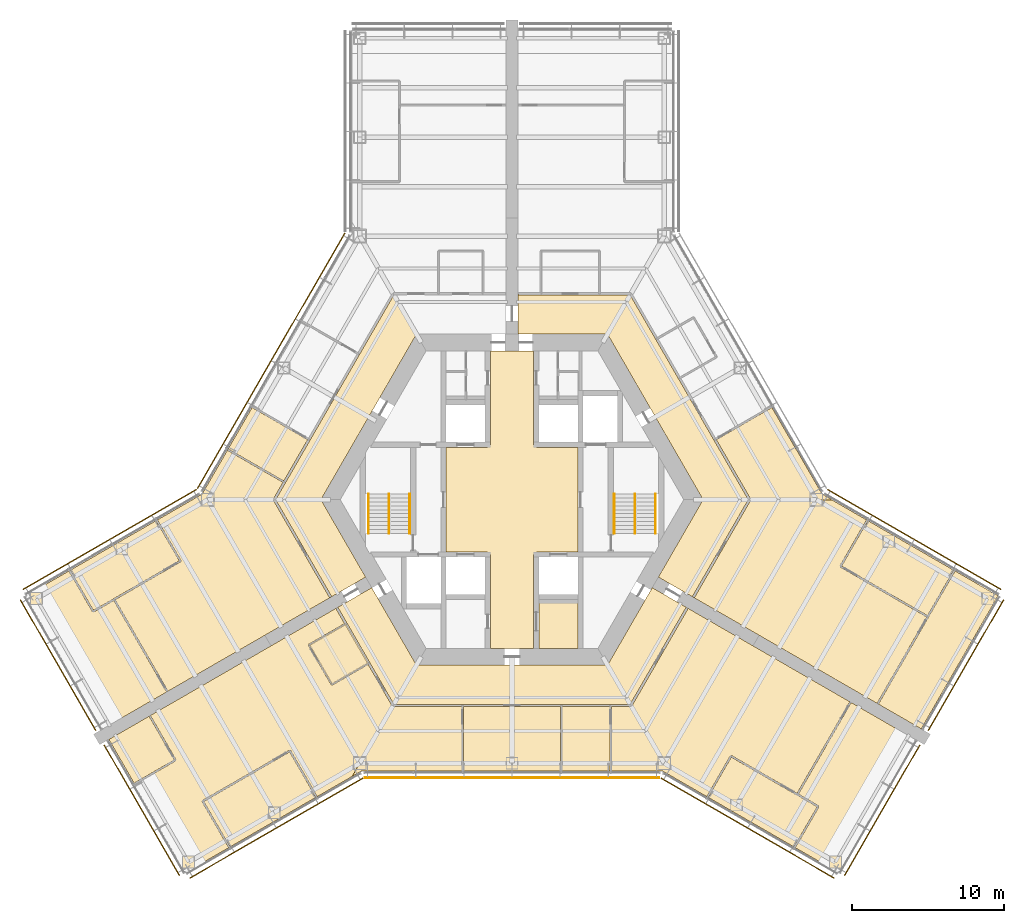
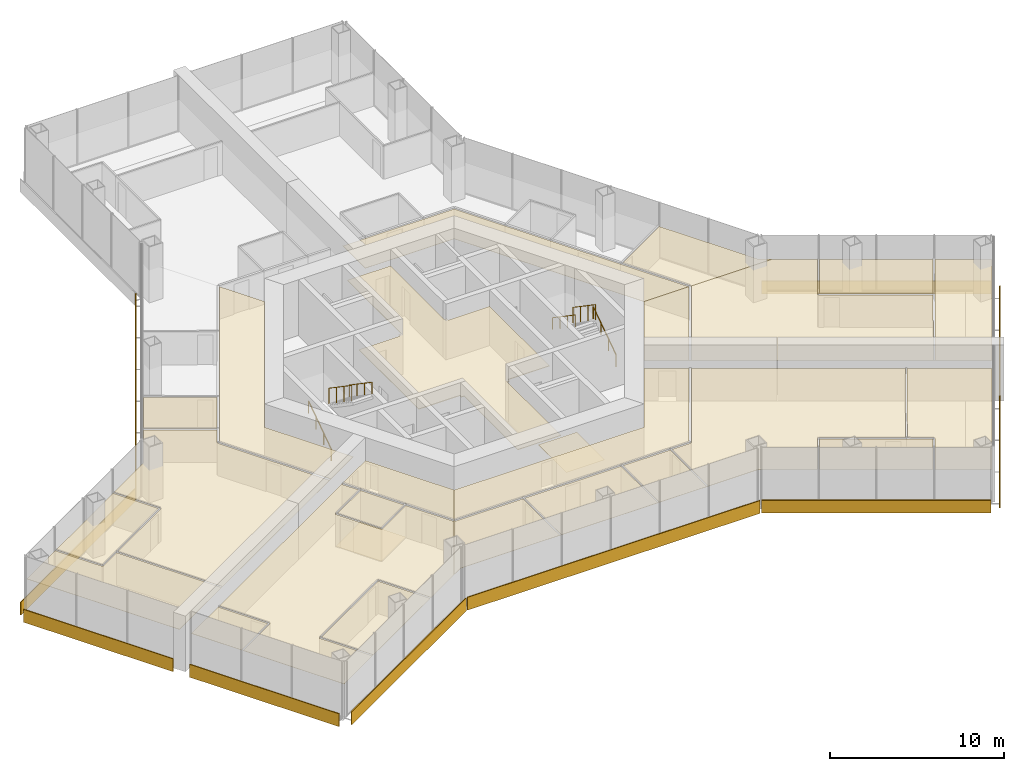
# One storey, part 17 of 18: 26 coverings, 10 shading devices, 6 railings.
"""IFC4 building model written with IfcOpenShell, lengths in metres."""

from ifc_helpers import new_model, si_unit, direction, frame, origin, origin_2d, place, context, subcontext, project, spatial, polyline, rectangle, circle, outline, extrude, material, layer, layer_set, type_object, element, save


model = new_model("IFC4")

# Units and contexts
model_context = context("Model", 3, precision=1e-05, world=origin(), true_north=direction((0.0, 1.0)))
body_context = subcontext(model_context, "Body", "Model", "MODEL_VIEW")
ifc_project = project(units=[si_unit("LENGTHUNIT", "METRE"), si_unit("AREAUNIT", "SQUARE_METRE"), si_unit("VOLUMEUNIT", "CUBIC_METRE"), si_unit("PLANEANGLEUNIT", "RADIAN"), si_unit("MASSUNIT", "GRAM", prefix="KILO")], contexts=[model_context])

# Site, building, storey
site_placement = place(None, origin())
site = spatial("IfcSite", under=ifc_project, at=site_placement, CompositionType="ELEMENT")
building_placement = place(site_placement, origin())
building = spatial("IfcBuilding", under=site, at=building_placement, Name="Kasaneha Research Tower", CompositionType="ELEMENT")
storey_placement = place(building_placement, frame((0.0, 0.0, 119.699951171875)))
storey = spatial("IfcBuildingStorey", under=building, at=storey_placement, Name="L30", CompositionType="ELEMENT", Elevation=119.699951171875)

# Covering
ifc_material_1 = material(Name="Aluminium panel ceiling", Category="aluminium")
ifc_layer_1 = layer(ifc_material_1, 0.0400390625)
ifc_layer_set_1 = layer_set([ifc_layer_1], Name="Lift lobby ceiling 40")
covering_type_1 = type_object("IfcCoveringType", Name="Lift lobby ceiling 40", PredefinedType="CEILING", material=ifc_layer_set_1)
covering_1_placement = place(storey_placement, frame((0.0, 0.0, 2.699951171875)))
element("IfcCovering", 1, at=covering_1_placement, inside=storey, type_object=covering_type_1, Name="Ceiling L30-01", PredefinedType="CEILING", context=body_context, shape_type="SweptSolid", body=[
    extrude(outline(polyline([(1.425048828125, 9.77490234375), (1.425048828125, 3.60009765625), (1.60009765625, 3.60009765625), (1.60009765625, 3.425048828125), (4.324951171875, 3.425048828125), (4.324951171875, -3.425048828125), (1.60009765625, -3.425048828125), (1.60009765625, -3.60009765625), (1.425048828125, -3.60009765625), (1.425048828125, -9.77490234375), (-1.425048828125, -9.77490234375), (-1.425048828125, -3.60009765625), (-1.60009765625, -3.60009765625), (-1.60009765625, -3.425048828125), (-4.324951171875, -3.425048828125), (-4.324951171875, 3.425048828125), (-1.60009765625, 3.425048828125), (-1.60009765625, 3.60009765625), (-1.425048828125, 3.60009765625), (-1.425048828125, 9.77490234375), (1.425048828125, 9.77490234375)])), origin(), (0.0, 0.0, 1.0), 0.0400390625),
])

# Railings
ifc_material_2 = material(Name="Steel", Category="steel")
railing_type_1 = type_object("IfcRailingType", Name="Stair balustrade 1100", PredefinedType="GUARDRAIL", material=ifc_material_2)
for number, where, name in (
    (2, (8.074951171875, 0.375, 2.12744140625), "Stair 1 balustrade L30"),
    (3, (-8.074951171875, 0.375, 2.12744140625), "Stair 2 balustrade L30"),
):
    element("IfcRailing", number, at=place(storey_placement, frame(where)), inside=storey, type_object=railing_type_1, Name=name, PredefinedType="GUARDRAIL", context=body_context, shape_type="SweptSolid", body=[
        extrude(circle(Radius=0.02392578125, at=origin_2d()), frame((0.0, 0.0, 1.076171875), z_axis=(0.0, -0.826240473404, 0.563317565952), x_axis=(1.0, 0.0, 0.0)), (0.0, 0.0, 1.0), 3.14697265625),
        extrude(circle(Radius=0.02099609375, at=origin_2d()), origin(), (0.0, 0.0, 1.0), 1.052001953125),
        extrude(circle(Radius=0.02099609375, at=origin_2d()), frame((0.0, -0.86669921875, 0.5908203125)), (0.0, 0.0, 1.0), 1.052001953125),
        extrude(circle(Radius=0.02099609375, at=origin_2d()), frame((0.0, -1.7333984375, 1.181884765625)), (0.0, 0.0, 1.0), 1.052001953125),
        extrude(circle(Radius=0.02099609375, at=origin_2d()), frame((0.0, -2.60009765625, 1.772705078125)), (0.0, 0.0, 1.0), 1.052001953125),
    ])
ifc_material_3 = material(Name="Steel", Category="steel")
railing_type_2 = type_object("IfcRailingType", Name="Stair handrail 850", PredefinedType="HANDRAIL", material=ifc_material_3)
railing_1_placement = place(storey_placement, frame((9.425048828125, -2.22509765625, 0.17724609375)))
element("IfcRailing", 4, at=railing_1_placement, inside=storey, type_object=railing_type_2, Name="Stair 1 handrail L30", PredefinedType="HANDRAIL", context=body_context, shape_type="SweptSolid", body=[
    extrude(circle(Radius=0.02392578125, at=origin_2d()), frame((0.0, 0.0, 0.826171875), z_axis=(0.0, 0.826240473404, 0.563317565952), x_axis=(-1.0, 0.0, 0.0)), (0.0, 0.0, 1.0), 3.14697265625),
    extrude(circle(Radius=0.02099609375, at=origin_2d()), origin(), (0.0, 0.0, 1.0), 0.802001953125),
    extrude(circle(Radius=0.02099609375, at=origin_2d()), frame((0.0, 0.86669921875, 0.5908203125)), (0.0, 0.0, 1.0), 0.802001953125),
    extrude(circle(Radius=0.02099609375, at=origin_2d()), frame((0.0, 1.7333984375, 1.181884765625)), (0.0, 0.0, 1.0), 0.802001953125),
    extrude(circle(Radius=0.02099609375, at=origin_2d()), frame((0.0, 2.60009765625, 1.772705078125)), (0.0, 0.0, 1.0), 0.802001953125),
])
railing_2_placement = place(storey_placement, frame((6.72509765625, 0.375, 2.12744140625)))
element("IfcRailing", 5, at=railing_2_placement, inside=storey, type_object=railing_type_2, Name="Stair 1 handrail L30", PredefinedType="HANDRAIL", context=body_context, shape_type="SweptSolid", body=[
    extrude(circle(Radius=0.02392578125, at=origin_2d()), frame((0.0, 0.0, 0.826171875), z_axis=(0.0, -0.826240473404, 0.563317565952), x_axis=(1.0, 0.0, 0.0)), (0.0, 0.0, 1.0), 3.14697265625),
    extrude(circle(Radius=0.02099609375, at=origin_2d()), origin(), (0.0, 0.0, 1.0), 0.802001953125),
    extrude(circle(Radius=0.02099609375, at=origin_2d()), frame((0.0, -0.86669921875, 0.5908203125)), (0.0, 0.0, 1.0), 0.802001953125),
    extrude(circle(Radius=0.02099609375, at=origin_2d()), frame((0.0, -1.7333984375, 1.181884765625)), (0.0, 0.0, 1.0), 0.802001953125),
    extrude(circle(Radius=0.02099609375, at=origin_2d()), frame((0.0, -2.60009765625, 1.772705078125)), (0.0, 0.0, 1.0), 0.802001953125),
])
railing_3_placement = place(storey_placement, frame((-9.425048828125, -2.22509765625, 0.17724609375)))
element("IfcRailing", 6, at=railing_3_placement, inside=storey, type_object=railing_type_2, Name="Stair 2 handrail L30", PredefinedType="HANDRAIL", context=body_context, shape_type="SweptSolid", body=[
    extrude(circle(Radius=0.02392578125, at=origin_2d()), frame((0.0, 0.0, 0.826171875), z_axis=(0.0, 0.826240473404, 0.563317565952), x_axis=(-1.0, 0.0, 0.0)), (0.0, 0.0, 1.0), 3.14697265625),
    extrude(circle(Radius=0.02099609375, at=origin_2d()), origin(), (0.0, 0.0, 1.0), 0.802001953125),
    extrude(circle(Radius=0.02099609375, at=origin_2d()), frame((0.0, 0.86669921875, 0.5908203125)), (0.0, 0.0, 1.0), 0.802001953125),
    extrude(circle(Radius=0.02099609375, at=origin_2d()), frame((0.0, 1.7333984375, 1.181884765625)), (0.0, 0.0, 1.0), 0.802001953125),
    extrude(circle(Radius=0.02099609375, at=origin_2d()), frame((0.0, 2.60009765625, 1.772705078125)), (0.0, 0.0, 1.0), 0.802001953125),
])
railing_4_placement = place(storey_placement, frame((-6.72509765625, 0.375, 2.12744140625)))
element("IfcRailing", 7, at=railing_4_placement, inside=storey, type_object=railing_type_2, Name="Stair 2 handrail L30", PredefinedType="HANDRAIL", context=body_context, shape_type="SweptSolid", body=[
    extrude(circle(Radius=0.02392578125, at=origin_2d()), frame((0.0, 0.0, 0.826171875), z_axis=(0.0, -0.826240473404, 0.563317565952), x_axis=(1.0, 0.0, 0.0)), (0.0, 0.0, 1.0), 3.14697265625),
    extrude(circle(Radius=0.02099609375, at=origin_2d()), origin(), (0.0, 0.0, 1.0), 0.802001953125),
    extrude(circle(Radius=0.02099609375, at=origin_2d()), frame((0.0, -0.86669921875, 0.5908203125)), (0.0, 0.0, 1.0), 0.802001953125),
    extrude(circle(Radius=0.02099609375, at=origin_2d()), frame((0.0, -1.7333984375, 1.181884765625)), (0.0, 0.0, 1.0), 0.802001953125),
    extrude(circle(Radius=0.02099609375, at=origin_2d()), frame((0.0, -2.60009765625, 1.772705078125)), (0.0, 0.0, 1.0), 0.802001953125),
])

# Coverings
ifc_material_4 = material(Name="Gypsum ceiling board", Category="gypsum")
ifc_layer_2 = layer(ifc_material_4, 0.02001953125)
ifc_layer_set_2 = layer_set([ifc_layer_2], Name="Suspended ceiling 20")
covering_type_2 = type_object("IfcCoveringType", Name="Suspended ceiling 20", PredefinedType="CEILING", material=ifc_layer_set_2)
covering_2_placement = place(storey_placement, frame((0.0, 0.0, 2.25)))
element("IfcCovering", 8, at=covering_2_placement, inside=storey, type_object=covering_type_2, Name="Ceiling L30-26", PredefinedType="CEILING", context=body_context, shape_type="SweptSolid", body=[
    extrude(outline(polyline([(6.278564453125, 10.875), (0.39990234375, 10.875), (0.39990234375, 11.72509765625), (0.39990234375, 12.72509765625), (0.39990234375, 13.52490234375), (0.419921875, 13.52490234375), (0.419921875, 13.449951171875), (1.89501953125, 13.449951171875), (1.904541015625, 13.449951171875), (5.75244140625, 13.449951171875), (5.761962890625, 13.449951171875), (7.765380859375, 13.449951171875), (9.4501953125, 10.531494140625), (9.4501953125, 10.53173828125), (10.950439453125, 7.93310546875), (10.95068359375, 7.93310546875), (13.2734375, 3.90966796875), (13.2734375, 3.90966796875), (15.53076171875, 0.0), (15.53076171875, 0.0), (12.557373046875, 0.0), (6.278564453125, 10.875)])), origin(), (0.0, 0.0, 1.0), 0.02001953125),
])
covering_3_placement = place(storey_placement, frame((0.0, 0.0, 2.25)))
element("IfcCovering", 9, at=covering_3_placement, inside=storey, type_object=covering_type_2, Name="Ceiling L30-30", PredefinedType="CEILING", context=body_context, shape_type="SweptSolid", body=[
    extrude(outline(polyline([(18.690185546875, 3.29296875), (20.374755859375, 0.374755859375), (21.006103515625, 0.010498046875), (21.011962890625, -0.000244140625), (21.006591796875, -0.010009765625), (15.612060546875, -0.010498046875), (15.604248046875, -0.00048828125), (15.61767578125, 0.000244140625), (15.606201171875, 0.020263671875), (15.670654296875, 0.0576171875), (13.42822265625, 3.94140625), (17.081298828125, 6.055419921875), (18.673583984375, 3.29736328125), (18.682861328125, 3.29833984375), (18.690185546875, 3.29296875)])), origin(), (0.0, 0.0, 1.0), 0.02001953125),
])
covering_4_placement = place(storey_placement, frame((0.0, 0.0, 2.25)))
element("IfcCovering", 10, at=covering_4_placement, inside=storey, type_object=covering_type_2, Name="Ceiling L30-38", PredefinedType="CEILING", context=body_context, shape_type="SweptSolid", body=[
    extrude(outline(polyline([(-12.557373046875, 0.0), (-9.617919921875, -5.091064453125), (-11.77685546875, -6.33740234375), (-11.9130859375, -6.416015625), (-11.923095703125, -6.398681640625), (-11.858154296875, -6.361328125), (-15.53076171875, 0.0), (-14.89697265625, 1.09765625), (-14.89697265625, 1.09765625), (-13.2734375, 3.90966796875), (-13.2734375, 3.90966796875), (-10.02734375, 9.5322265625), (-10.02734375, 9.531982421875), (-7.765380859375, 13.449951171875), (-6.278564453125, 10.875), (-12.557373046875, 0.0)])), origin(), (0.0, 0.0, 1.0), 0.02001953125),
])
covering_5_placement = place(storey_placement, frame((0.0, 0.0, 2.25)))
element("IfcCovering", 11, at=covering_5_placement, inside=storey, type_object=covering_type_2, Name="Ceiling L30-39", PredefinedType="CEILING", context=body_context, shape_type="SweptSolid", body=[
    extrude(outline(polyline([(-29.075439453125, -4.661865234375), (-29.065185546875, -4.6796875), (-29.108642578125, -4.70458984375), (-27.568359375, -7.371826171875), (-27.52490234375, -7.3466796875), (-27.500244140625, -7.39013671875), (-26.167236328125, -6.626220703125), (-22.701171875, -12.62158203125), (-22.65771484375, -12.596435546875), (-22.647705078125, -12.61376953125), (-26.891357421875, -15.063720703125), (-31.94189453125, -6.317138671875), (-29.075439453125, -4.661865234375)])), origin(), (0.0, 0.0, 1.0), 0.02001953125),
])
covering_6_placement = place(storey_placement, frame((0.0, 0.0, 2.25)))
element("IfcCovering", 12, at=covering_6_placement, inside=storey, type_object=covering_type_2, Name="Ceiling L30-41", PredefinedType="CEILING", context=body_context, shape_type="SweptSolid", body=[
    extrude(outline(polyline([(-18.679443359375, 3.287353515625), (-17.081298828125, 6.055419921875), (-13.42822265625, 3.94140625), (-14.9970703125, 1.22412109375), (-18.63720703125, 3.320556640625), (-18.662109375, 3.27734375), (-18.679443359375, 3.287353515625)])), origin(), (0.0, 0.0, 1.0), 0.02001953125),
])
covering_7_placement = place(storey_placement, frame((0.0, 0.0, 2.25)))
element("IfcCovering", 13, at=covering_7_placement, inside=storey, type_object=covering_type_2, Name="Ceiling L30-42", PredefinedType="CEILING", context=body_context, shape_type="SweptSolid", body=[
    extrude(outline(polyline([(-23.34228515625, -1.352294921875), (-23.332275390625, -1.36962890625), (-23.37548828125, -1.39453125), (-21.860595703125, -4.018798828125), (-26.17626953125, -6.510498046875), (-26.173828125, -6.5146484375), (-27.506591796875, -7.278564453125), (-29.02197265625, -4.654541015625), (-29.06494140625, -4.679443359375), (-29.074951171875, -4.662109375), (-23.34228515625, -1.352294921875)])), origin(), (0.0, 0.0, 1.0), 0.02001953125),
])
covering_8_placement = place(storey_placement, frame((0.0, 0.0, 2.25)))
element("IfcCovering", 14, at=covering_8_placement, inside=storey, type_object=covering_type_2, Name="Ceiling L30-43", PredefinedType="CEILING", context=body_context, shape_type="SweptSolid", body=[
    extrude(outline(polyline([(-21.791748046875, -4.037353515625), (-21.7919921875, -4.036865234375), (-21.748779296875, -4.011962890625), (-23.288818359375, -1.344482421875), (-23.331787109375, -1.369384765625), (-23.341796875, -1.35205078125), (-20.365966796875, 0.365966796875), (-18.6796875, 3.286865234375), (-18.662353515625, 3.27685546875), (-18.68701171875, 3.23388671875), (-15.047119140625, 1.137451171875), (-15.68212890625, 0.03759765625), (-15.61767578125, 0.000244140625), (-15.617919921875, -0.000244140625), (-15.61767578125, -0.000244140625), (-15.68212890625, -0.03759765625), (-11.988037109375, -6.436279296875), (-11.92333984375, -6.39892578125), (-11.913330078125, -6.416259765625), (-13.5380859375, -7.354248046875), (-22.6474609375, -12.613525390625), (-22.657470703125, -12.59619140625), (-22.614501953125, -12.571533203125), (-26.0830078125, -6.572021484375), (-21.76708984375, -4.080322265625), (-21.7919921875, -4.037353515625), (-21.791748046875, -4.037353515625)])), origin(), (0.0, 0.0, 1.0), 0.02001953125),
])
covering_9_placement = place(storey_placement, frame((0.0, 0.0, 2.25)))
element("IfcCovering", 15, at=covering_9_placement, inside=storey, type_object=covering_type_2, Name="Ceiling L30-45", PredefinedType="CEILING", context=body_context, shape_type="SweptSolid", body=[
    extrude(outline(polyline([(-7.765380859375, -13.449951171875), (-9.350341796875, -10.704833984375), (-9.350341796875, -10.704833984375), (-10.8505859375, -8.106201171875), (-10.8505859375, -8.106201171875), (-11.43798828125, -7.088623046875), (-11.5029296875, -7.126220703125), (-11.512939453125, -7.10888671875), (-9.218017578125, -5.783935546875), (-6.278564453125, -10.875), (-7.765380859375, -13.449951171875)])), origin(), (0.0, 0.0, 1.0), 0.02001953125),
])
covering_10_placement = place(storey_placement, frame((0.0, 0.0, 2.25)))
element("IfcCovering", 16, at=covering_10_placement, inside=storey, type_object=covering_type_2, Name="Ceiling L30-46", PredefinedType="CEILING", context=body_context, shape_type="SweptSolid", body=[
    extrude(outline(polyline([(-9.505126953125, -10.736572265625), (-11.819580078125, -12.077880859375), (-13.26953125, -9.56640625), (-10.95068359375, -8.232666015625), (-9.505126953125, -10.736572265625)])), origin(), (0.0, 0.0, 1.0), 0.02001953125),
])
covering_11_placement = place(storey_placement, frame((0.0, 0.0, 2.25)))
element("IfcCovering", 17, at=covering_11_placement, inside=storey, type_object=covering_type_2, Name="Ceiling L30-47", PredefinedType="CEILING", context=body_context, shape_type="SweptSolid", body=[
    extrude(outline(polyline([(-18.574951171875, -22.8486328125), (-18.5849609375, -22.831298828125), (-18.541748046875, -22.806396484375), (-20.256591796875, -19.835693359375), (-14.610595703125, -16.575927734375), (-12.885498046875, -19.563720703125), (-12.84228515625, -19.538818359375), (-12.84228515625, -19.538818359375), (-18.574951171875, -22.8486328125)])), origin(), (0.0, 0.0, 1.0), 0.02001953125),
])
covering_12_placement = place(storey_placement, frame((0.0, 0.0, 2.25)))
element("IfcCovering", 18, at=covering_12_placement, inside=storey, type_object=covering_type_2, Name="Ceiling L30-48", PredefinedType="CEILING", context=body_context, shape_type="SweptSolid", body=[
    extrude(outline(polyline([(-23.806640625, -14.20654296875), (-23.796630859375, -14.223876953125), (-23.840087890625, -14.2490234375), (-22.191650390625, -17.10400390625), (-24.8330078125, -18.62890625), (-24.80810546875, -18.67236328125), (-24.80810546875, -18.67236328125), (-26.491455078125, -15.756591796875), (-23.806640625, -14.20654296875)])), origin(), (0.0, 0.0, 1.0), 0.02001953125),
])
covering_13_placement = place(storey_placement, frame((0.0, 0.0, 2.25)))
element("IfcCovering", 19, at=covering_13_placement, inside=storey, type_object=covering_type_2, Name="Ceiling L30-49", PredefinedType="CEILING", context=body_context, shape_type="SweptSolid", body=[
    extrude(outline(polyline([(-13.33837890625, -9.548095703125), (-13.338134765625, -9.54833984375), (-13.381103515625, -9.572998046875), (-11.881103515625, -12.171142578125), (-11.83837890625, -12.146484375), (-11.83837890625, -12.146484375), (-11.837890625, -12.146240234375), (-11.812744140625, -12.189453125), (-9.455078125, -10.8232421875), (-7.88525390625, -13.54248046875), (-7.820556640625, -13.505126953125), (-7.808837890625, -13.525390625), (-10.5, -18.1865234375), (-12.841796875, -19.53857421875), (-12.841796875, -19.53857421875), (-12.798828125, -19.513916015625), (-14.548828125, -16.482666015625), (-14.592041015625, -16.507568359375), (-14.59228515625, -16.50732421875), (-14.592529296875, -16.50732421875), (-14.6171875, -16.46435546875), (-20.35009765625, -19.774169921875), (-20.3251953125, -19.817138671875), (-20.3251953125, -19.817138671875), (-20.324951171875, -19.817626953125), (-20.368408203125, -19.842529296875), (-18.62841796875, -22.856201171875), (-18.58544921875, -22.83154296875), (-18.575439453125, -22.848876953125), (-21.44140625, -24.50341796875), (-24.782958984375, -18.715576171875), (-22.098388671875, -17.16552734375), (-22.123046875, -17.12255859375), (-22.122802734375, -17.122314453125), (-22.123046875, -17.1220703125), (-22.080078125, -17.097412109375), (-23.75341796875, -14.198974609375), (-23.796142578125, -14.2236328125), (-23.80615234375, -14.206298828125), (-11.513427734375, -7.109130859375), (-11.50341796875, -7.12646484375), (-11.56787109375, -7.163818359375), (-11.000732421875, -8.14599609375), (-13.36279296875, -9.504638671875), (-13.337890625, -9.5478515625), (-13.33837890625, -9.548095703125)])), origin(), (0.0, 0.0, 1.0), 0.02001953125),
])
covering_14_placement = place(storey_placement, frame((0.0, 0.0, 2.25)))
element("IfcCovering", 20, at=covering_14_placement, inside=storey, type_object=covering_type_2, Name="Ceiling L30-50", PredefinedType="CEILING", context=body_context, shape_type="SweptSolid", body=[
    extrude(outline(polyline([(9.617919921875, -5.091064453125), (12.557373046875, 0.0), (15.53076171875, 0.0), (11.858154296875, -6.361328125), (11.923095703125, -6.398681640625), (11.9130859375, -6.416015625), (11.77685546875, -6.33740234375), (9.617919921875, -5.091064453125)])), origin(), (0.0, 0.0, 1.0), 0.02001953125),
])
covering_15_placement = place(storey_placement, frame((0.0, 0.0, 2.25)))
element("IfcCovering", 21, at=covering_15_placement, inside=storey, type_object=covering_type_2, Name="Ceiling L30-51", PredefinedType="CEILING", context=body_context, shape_type="SweptSolid", body=[
    extrude(outline(polyline([(29.03173828125, -4.63720703125), (27.303955078125, -7.61865234375), (21.660400390625, -4.364990234375), (23.37548828125, -1.39453125), (23.332275390625, -1.36962890625), (23.34228515625, -1.352294921875), (29.03173828125, -4.63720703125)])), origin(), (0.0, 0.0, 1.0), 0.02001953125),
])
covering_16_placement = place(storey_placement, frame((0.0, 0.0, 2.25)))
element("IfcCovering", 22, at=covering_16_placement, inside=storey, type_object=covering_type_2, Name="Ceiling L30-52", PredefinedType="CEILING", context=body_context, shape_type="SweptSolid", body=[
    extrude(outline(polyline([(29.075439453125, -4.661865234375), (31.94189453125, -6.317138671875), (26.891357421875, -15.063720703125), (24.033447265625, -13.413818359375), (24.04345703125, -13.396484375), (24.0869140625, -13.42138671875), (27.369873046875, -7.71435546875), (27.365478515625, -7.7119140625), (29.1181640625, -4.687255859375), (29.0751953125, -4.662353515625), (29.075439453125, -4.661865234375)])), origin(), (0.0, 0.0, 1.0), 0.02001953125),
])
covering_17_placement = place(storey_placement, frame((0.0, 0.0, 2.25)))
element("IfcCovering", 23, at=covering_17_placement, inside=storey, type_object=covering_type_2, Name="Ceiling L30-53", PredefinedType="CEILING", context=body_context, shape_type="SweptSolid", body=[
    extrude(outline(polyline([(21.0, 0.0), (23.341796875, -1.35205078125), (23.331787109375, -1.369384765625), (23.288818359375, -1.344482421875), (21.548828125, -4.3583984375), (21.592041015625, -4.38330078125), (21.591796875, -4.3837890625), (21.592041015625, -4.3837890625), (21.567138671875, -4.4267578125), (27.25830078125, -7.707763671875), (24.000244140625, -13.37158203125), (24.04296875, -13.396240234375), (24.032958984375, -13.41357421875), (15.218994140625, -8.324951171875), (11.913330078125, -6.416259765625), (11.92333984375, -6.39892578125), (11.988037109375, -6.436279296875), (15.670654296875, -0.0576171875), (15.606201171875, -0.020263671875), (15.617919921875, 0.0), (21.0, 0.0)])), origin(), (0.0, 0.0, 1.0), 0.02001953125),
])
covering_18_placement = place(storey_placement, frame((0.0, 0.0, 2.25)))
element("IfcCovering", 24, at=covering_18_placement, inside=storey, type_object=covering_type_2, Name="Ceiling L30-54", PredefinedType="CEILING", context=body_context, shape_type="SweptSolid", body=[
    extrude(outline(polyline([(-6.278564453125, -10.875), (6.278564453125, -10.875), (9.218017578125, -5.783935546875), (11.512939453125, -7.10888671875), (11.5029296875, -7.126220703125), (11.43798828125, -7.088623046875), (7.765380859375, -13.449951171875), (6.497802734375, -13.449951171875), (6.48828125, -13.449951171875), (3.2509765625, -13.449951171875), (3.241455078125, -13.449951171875), (-3.241455078125, -13.449951171875), (-3.2509765625, -13.449951171875), (-7.765380859375, -13.449951171875), (-7.765380859375, -13.449951171875), (-6.278564453125, -10.875)])), origin(), (0.0, 0.0, 1.0), 0.02001953125),
])
covering_19_placement = place(storey_placement, frame((0.0, 0.0, 2.25)))
element("IfcCovering", 25, at=covering_19_placement, inside=storey, type_object=covering_type_2, Name="Ceiling L30-55", PredefinedType="CEILING", context=body_context, shape_type="SweptSolid", body=[
    extrude(outline(polyline([(18.574951171875, -22.84912109375), (18.5751953125, -22.848876953125), (18.61865234375, -22.873779296875), (20.168212890625, -20.18896484375), (20.125, -20.163818359375), (20.150146484375, -20.12060546875), (18.822021484375, -19.348388671875), (22.281005859375, -13.348876953125), (22.23779296875, -13.323974609375), (22.247802734375, -13.306640625), (23.287841796875, -13.9072265625), (26.491455078125, -15.756591796875), (21.441650390625, -24.50390625), (18.574951171875, -22.84912109375)])), origin(), (0.0, 0.0, 1.0), 0.02001953125),
])
covering_20_placement = place(storey_placement, frame((0.0, 0.0, 2.25)))
element("IfcCovering", 26, at=covering_20_placement, inside=storey, type_object=covering_type_2, Name="Ceiling L30-56", PredefinedType="CEILING", context=body_context, shape_type="SweptSolid", body=[
    extrude(outline(polyline([(3.246337890625, -17.800537109375), (3.29638671875, -17.800537109375), (3.30078125, -13.60009765625), (6.4384765625, -13.60009765625), (6.44287109375, -17.800537109375), (6.492919921875, -17.800537109375), (6.492919921875, -17.820556640625), (3.246337890625, -17.820556640625), (3.246337890625, -17.800537109375)])), origin(), (0.0, 0.0, 1.0), 0.02001953125),
])
covering_21_placement = place(storey_placement, frame((0.0, 0.0, 2.25)))
element("IfcCovering", 27, at=covering_21_placement, inside=storey, type_object=covering_type_2, Name="Ceiling L30-57", PredefinedType="CEILING", context=body_context, shape_type="SweptSolid", body=[
    extrude(outline(polyline([(-10.50048828125, -18.1865234375), (-7.80908203125, -13.52490234375), (-7.78564453125, -13.52490234375), (-7.78564453125, -13.60009765625), (-3.30078125, -13.60009765625), (-3.29638671875, -17.800537109375), (-3.246337890625, -17.800537109375), (-3.246337890625, -17.820556640625), (-9.865966796875, -17.821044921875), (-10.50048828125, -18.1865234375)])), origin(), (0.0, 0.0, 1.0), 0.02001953125),
])
covering_22_placement = place(storey_placement, frame((0.0, 0.0, 2.25)))
element("IfcCovering", 28, at=covering_22_placement, inside=storey, type_object=covering_type_2, Name="Ceiling L30-58", PredefinedType="CEILING", context=body_context, shape_type="SweptSolid", body=[
    extrude(outline(polyline([(12.84228515625, -19.538818359375), (12.84228515625, -19.538818359375), (12.885498046875, -19.563720703125), (14.410400390625, -16.92236328125), (18.726318359375, -19.4140625), (18.728759765625, -19.40966796875), (20.056884765625, -20.18212890625), (18.531982421875, -22.82373046875), (18.574951171875, -22.8486328125), (18.574951171875, -22.8486328125), (12.84228515625, -19.538818359375)])), origin(), (0.0, 0.0, 1.0), 0.02001953125),
])
covering_23_placement = place(storey_placement, frame((0.0, 0.0, 2.25)))
element("IfcCovering", 29, at=covering_23_placement, inside=storey, type_object=covering_type_2, Name="Ceiling L30-59", PredefinedType="CEILING", context=body_context, shape_type="SweptSolid", body=[
    extrude(outline(polyline([(7.80908203125, -13.525146484375), (7.87353515625, -13.5625), (11.56787109375, -7.163818359375), (11.50341796875, -7.12646484375), (11.513427734375, -7.109130859375), (20.697021484375, -12.411376953125), (22.247314453125, -13.306396484375), (22.2373046875, -13.32373046875), (22.194580078125, -13.299072265625), (18.73291015625, -19.302490234375), (14.417236328125, -16.810791015625), (14.392333984375, -16.853759765625), (14.39208984375, -16.853515625), (14.39208984375, -16.85400390625), (14.348876953125, -16.8291015625), (12.798828125, -19.513916015625), (12.841796875, -19.53857421875), (12.841796875, -19.53857421875), (9.865966796875, -17.820556640625), (6.493408203125, -17.820556640625), (6.493408203125, -17.800537109375), (6.542724609375, -17.800537109375), (6.538330078125, -13.60009765625), (7.80859375, -13.60009765625), (7.80859375, -13.525390625), (7.80908203125, -13.525390625), (7.80908203125, -13.525146484375)])), origin(), (0.0, 0.0, 1.0), 0.02001953125),
])
covering_24_placement = place(storey_placement, frame((0.0, 0.0, 2.25)))
element("IfcCovering", 30, at=covering_24_placement, inside=storey, type_object=covering_type_2, Name="Ceiling L30-60", PredefinedType="CEILING", context=body_context, shape_type="SweptSolid", body=[
    extrude(outline(polyline([(3.245849609375, -17.820556640625), (-3.245849609375, -17.820556640625), (-3.245849609375, -17.800537109375), (-3.1962890625, -17.800537109375), (-3.200927734375, -13.60009765625), (3.200927734375, -13.60009765625), (3.1962890625, -17.800537109375), (3.245849609375, -17.800537109375), (3.245849609375, -17.820556640625)])), origin(), (0.0, 0.0, 1.0), 0.02001953125),
])

# Shading devices
ifc_material_5 = material(Name="Terracotta", Category="masonry")
ifc_layer_3 = layer(ifc_material_5, 0.06005859375)
ifc_layer_set_3 = layer_set([ifc_layer_3], Name="Terracotta baguette screen")
shading_device_type = type_object("IfcShadingDeviceType", Name="Terracotta baguette screen", PredefinedType="USERDEFINED", material=ifc_layer_set_3)
shading_device_1_placement = place(storey_placement, frame((-15.483642578125, -21.58349609375, -0.449951171875), z_axis=(0.0, 0.0, 1.0), x_axis=(0.866025411464, 0.499999986699, 0.0)))
element("IfcShadingDevice", 31, at=shading_device_1_placement, inside=storey, type_object=shading_device_type, Name="Baguette screen L30 01", ObjectType="TERRACOTTA BAGUETTE SCREEN", PredefinedType="USERDEFINED", context=body_context, shape_type="SweptSolid", body=[
    extrude(rectangle(XDim=13.13916015625, YDim=0.06005859375, at=origin_2d()), origin(), (0.0, 0.0, 1.0), 0.89990234375),
])
shading_device_2_placement = place(storey_placement, frame((0.0, -18.2705078125, -0.449951171875), z_axis=(0.0, 0.0, 1.0), x_axis=(1.0, 0.0, 0.0)))
element("IfcShadingDevice", 32, at=shading_device_2_placement, inside=storey, type_object=shading_device_type, Name="Baguette screen L30 02", ObjectType="TERRACOTTA BAGUETTE SCREEN", PredefinedType="USERDEFINED", context=body_context, shape_type="SweptSolid", body=[
    extrude(rectangle(XDim=19.37841796875, YDim=0.06005859375, at=origin_2d()), origin(), (0.0, 0.0, 1.0), 0.89990234375),
])
shading_device_3_placement = place(storey_placement, frame((15.483642578125, -21.58349609375, -0.449951171875), z_axis=(0.0, 0.0, 1.0), x_axis=(0.866025411464, -0.499999986699, 0.0)))
element("IfcShadingDevice", 33, at=shading_device_3_placement, inside=storey, type_object=shading_device_type, Name="Baguette screen L30 03", ObjectType="TERRACOTTA BAGUETTE SCREEN", PredefinedType="USERDEFINED", context=body_context, shape_type="SweptSolid", body=[
    extrude(rectangle(XDim=13.13916015625, YDim=0.06005859375, at=origin_2d()), origin(), (0.0, 0.0, 1.0), 0.89990234375),
])
for number, where, z_axis, x_axis, name in (
    (34, (24.3310546875, -20.3984375, -0.449951171875), (0.0, 0.0, 1.0), (0.500000011442, 0.866025397178, 0.0), "Baguette screen L30 04"),
    (35, (29.8310546875, -10.8720703125, -0.449951171875), (0.0, 0.0, 1.0), (0.500000011442, 0.866025397178, 0.0), "Baguette screen L30 05"),
):
    element("IfcShadingDevice", number, at=place(storey_placement, frame(where, z_axis=z_axis, x_axis=x_axis)), inside=storey, type_object=shading_device_type, Name=name, ObjectType="TERRACOTTA BAGUETTE SCREEN", PredefinedType="USERDEFINED", context=body_context, shape_type="SweptSolid", body=[
        extrude(rectangle(XDim=9.89990234375, YDim=0.06005859375, at=origin_2d()), origin(), (0.0, 0.0, 1.0), 0.89990234375),
    ])
shading_device_4_placement = place(storey_placement, frame((26.43359375, -2.617431640625, -0.449951171875), z_axis=(0.0, 0.0, 1.0), x_axis=(-0.866025411464, 0.499999986699, 0.0)))
element("IfcShadingDevice", 36, at=shading_device_4_placement, inside=storey, type_object=shading_device_type, Name="Baguette screen L30 06", ObjectType="TERRACOTTA BAGUETTE SCREEN", PredefinedType="USERDEFINED", context=body_context, shape_type="SweptSolid", body=[
    extrude(rectangle(XDim=13.13916015625, YDim=0.06005859375, at=origin_2d()), origin(), (0.0, 0.0, 1.0), 0.89990234375),
])
shading_device_5_placement = place(storey_placement, frame((-15.82275390625, 9.13525390625, -0.449951171875), z_axis=(0.0, 0.0, 1.0), x_axis=(-0.49999996188, -0.866025425793, 0.0)))
element("IfcShadingDevice", 37, at=shading_device_5_placement, inside=storey, type_object=shading_device_type, Name="Baguette screen L30 12", ObjectType="TERRACOTTA BAGUETTE SCREEN", PredefinedType="USERDEFINED", context=body_context, shape_type="SweptSolid", body=[
    extrude(rectangle(XDim=19.37841796875, YDim=0.06005859375, at=origin_2d()), origin(), (0.0, 0.0, 1.0), 0.89990234375),
])
shading_device_6_placement = place(storey_placement, frame((-26.43359375, -2.617431640625, -0.449951171875), z_axis=(0.0, 0.0, 1.0), x_axis=(-0.866025411464, -0.499999986699, 0.0)))
element("IfcShadingDevice", 38, at=shading_device_6_placement, inside=storey, type_object=shading_device_type, Name="Baguette screen L30 13", ObjectType="TERRACOTTA BAGUETTE SCREEN", PredefinedType="USERDEFINED", context=body_context, shape_type="SweptSolid", body=[
    extrude(rectangle(XDim=13.13916015625, YDim=0.06005859375, at=origin_2d()), origin(), (0.0, 0.0, 1.0), 0.89990234375),
])
for number, where, z_axis, x_axis, name in (
    (39, (-29.8310546875, -10.8720703125, -0.449951171875), (0.0, 0.0, 1.0), (0.500000011442, -0.866025397178, 0.0), "Baguette screen L30 14"),
    (40, (-24.3310546875, -20.3984375, -0.449951171875), (0.0, 0.0, 1.0), (0.500000011442, -0.866025397178, 0.0), "Baguette screen L30 15"),
):
    element("IfcShadingDevice", number, at=place(storey_placement, frame(where, z_axis=z_axis, x_axis=x_axis)), inside=storey, type_object=shading_device_type, Name=name, ObjectType="TERRACOTTA BAGUETTE SCREEN", PredefinedType="USERDEFINED", context=body_context, shape_type="SweptSolid", body=[
        extrude(rectangle(XDim=9.89990234375, YDim=0.06005859375, at=origin_2d()), origin(), (0.0, 0.0, 1.0), 0.89990234375),
    ])

# Coverings
ifc_material_6 = material(Name="Vinyl sheet flooring", Category="plastic")
ifc_layer_4 = layer(ifc_material_6, 0.0048828125)
ifc_layer_set_4 = layer_set([ifc_layer_4], Name="Wet room sheet flooring 5")
covering_type_3 = type_object("IfcCoveringType", Name="Wet room sheet flooring 5", PredefinedType="FLOORING", material=ifc_layer_set_4)
covering_25_placement = place(storey_placement, origin())
element("IfcCovering", 41, at=covering_25_placement, inside=storey, type_object=covering_type_3, Name="Floor finish L30-13", PredefinedType="FLOORING", context=body_context, shape_type="SweptSolid", body=[
    extrude(outline(polyline([(1.77490234375, -9.77490234375), (1.77490234375, -6.574951171875), (4.324951171875, -6.574951171875), (4.324951171875, -9.77490234375), (1.77490234375, -9.77490234375)])), origin(), (0.0, 0.0, 1.0), 0.005126953125),
])
covering_26_placement = place(storey_placement, origin())
element("IfcCovering", 42, at=covering_26_placement, inside=storey, type_object=covering_type_3, Name="Floor finish L30-46", PredefinedType="FLOORING", context=body_context, shape_type="SweptSolid", body=[
    extrude(outline(polyline([(-11.837890625, -12.146240234375), (-13.337890625, -9.548095703125), (-10.9130859375, -8.148193359375), (-9.4130859375, -10.746337890625), (-11.837890625, -12.146240234375)])), origin(), (0.0, 0.0, 1.0), 0.005126953125),
])

save(model, "model.ifc")
